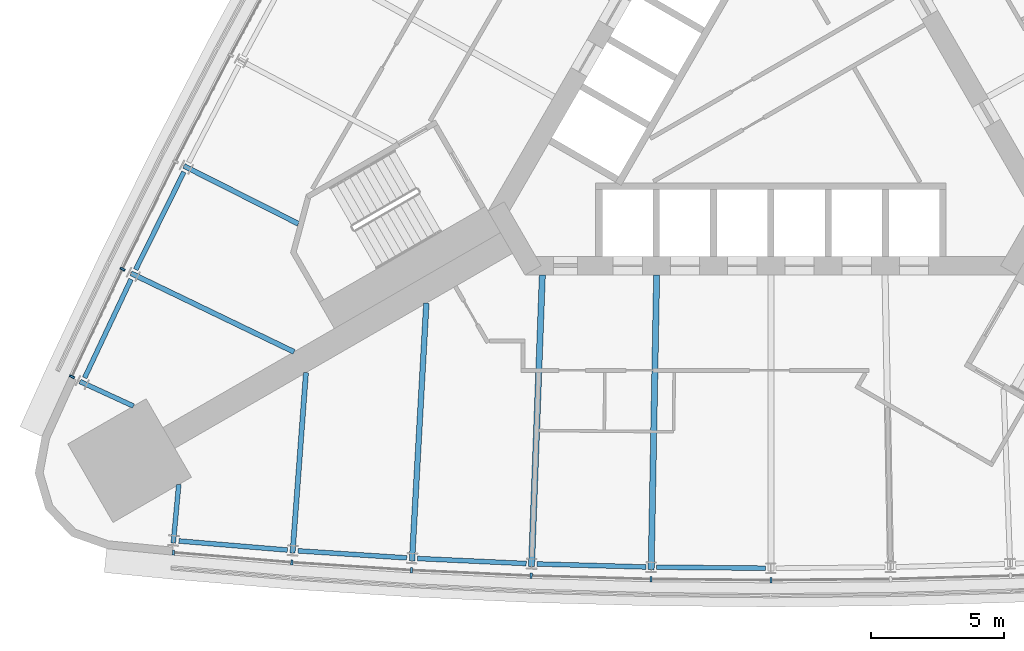
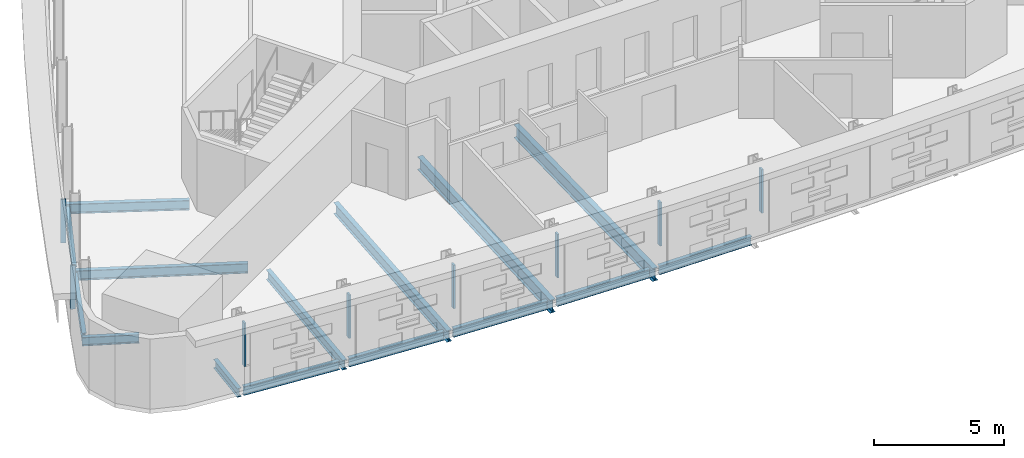
# One storey, part 2 of 15: 15 beams, 8 members, 2 elements without a shape of their own.
"""IFC4 building model written with IfcOpenShell, lengths in metres."""

from ifc_helpers import new_model, si_unit, direction, frame, origin, origin_2d, place, context, subcontext, project, spatial, rectangle, i_section, extrude, material, material_profile, profile_set, type_object, element, aggregate, save


model = new_model("IFC4")

# Units and contexts
model_context = context("Model", 3, precision=1e-05, world=origin(), true_north=direction((0.0, 1.0)))
body_context = subcontext(model_context, "Body", "Model", "MODEL_VIEW")
ifc_project = project(units=[si_unit("LENGTHUNIT", "METRE"), si_unit("AREAUNIT", "SQUARE_METRE"), si_unit("VOLUMEUNIT", "CUBIC_METRE"), si_unit("PLANEANGLEUNIT", "RADIAN"), si_unit("MASSUNIT", "GRAM", prefix="KILO")], contexts=[model_context])

# Site, building, storey
site_placement = place(None, origin())
site = spatial("IfcSite", under=ifc_project, at=site_placement, CompositionType="ELEMENT")
building_placement = place(site_placement, origin())
building = spatial("IfcBuilding", under=site, at=building_placement, Name="Noor Cloister Tower", CompositionType="ELEMENT")
storey_placement = place(building_placement, frame((0.0, 0.0, 27.60009765625)))
storey = spatial("IfcBuildingStorey", under=building, at=storey_placement, Name="L06", CompositionType="ELEMENT", Elevation=27.60009765625)

# Curtain wall, members
ifc_material_1 = material(Name="Aluminium 6063-T6 anodised", Category="aluminium")
curtain_wall_type = type_object("IfcCurtainWallType", Name="Ribbon curtain wall, lower tower CW1", PredefinedType="NOTDEFINED", material=ifc_material_1)
curtain_wall_1_placement = place(storey_placement, origin())
curtain_wall_1 = element("IfcCurtainWall", 1, at=curtain_wall_1_placement, inside=storey, type_object=curtain_wall_type, Name="CW1 L06 NW run 1", PredefinedType="NOTDEFINED")
ifc_material_2 = material(Name="Aluminium 6063-T6 anodised", Category="aluminium")
ifc_material_profile_1 = material_profile(ifc_material_2, rectangle(XDim=0.199951171875, YDim=0.080078125, at=origin_2d()), Name="200 x 80 mullion")
ifc_profile_set_1 = profile_set([ifc_material_profile_1], Name="Aluminium 6063-T6 anodised")
member_type = type_object("IfcMemberType", Name="Mullion CW1 80 x 200", PredefinedType="MULLION", material=ifc_profile_set_1)
member_1_placement = place(storey_placement, frame((-24.330322265625, -6.709716796875, 1.099853515625), z_axis=(0.0, 0.0, 1.0), x_axis=(0.900715223435, -0.434410043937, 0.0)))
member_1 = element("IfcMember", 2, at=member_1_placement, type_object=member_type, Name="CW1 mullion 10", PredefinedType="MULLION", context=body_context, shape_type="SweptSolid", body=[
    extrude(rectangle(XDim=0.199951171875, YDim=0.080078125, at=origin_2d()), origin(), (0.0, 0.0, 1.0), 2.050048828125),
])
member_2_placement = place(storey_placement, frame((-26.22998046875, -10.743896484375, 1.099853515625), z_axis=(0.0, 0.0, 1.0), x_axis=(0.90470640697, -0.426035582068, 0.0)))
member_2 = element("IfcMember", 3, at=member_2_placement, type_object=member_type, Name="CW1 mullion 11", PredefinedType="MULLION", context=body_context, shape_type="SweptSolid", body=[
    extrude(rectangle(XDim=0.199951171875, YDim=0.080078125, at=origin_2d()), origin(), (0.0, 0.0, 1.0), 2.050048828125),
])
aggregate(curtain_wall_1, [member_1, member_2])

curtain_wall_2_placement = place(storey_placement, origin())
curtain_wall_2 = element("IfcCurtainWall", 4, at=curtain_wall_2_placement, inside=storey, type_object=curtain_wall_type, Name="CW1 L06 S run 2", PredefinedType="NOTDEFINED")
member_3_placement = place(storey_placement, frame((-22.41943359375, -17.343994140625, 1.099853515625), z_axis=(0.0, 0.0, 1.0), x_axis=(0.083395566498, 0.996516522436, 0.0)))
member_3 = element("IfcMember", 5, at=member_3_placement, type_object=member_type, Name="CW1 mullion 1", PredefinedType="MULLION", context=body_context, shape_type="SweptSolid", body=[
    extrude(rectangle(XDim=0.199951171875, YDim=0.080078125, at=origin_2d()), origin(), (0.0, 0.0, 1.0), 2.050048828125),
])
member_4_placement = place(storey_placement, frame((-17.97607421875, -17.7158203125, 1.099853515625), z_axis=(0.0, 0.0, 1.0), x_axis=(0.074147478009, 0.997247287038, 0.0)))
member_4 = element("IfcMember", 6, at=member_4_placement, type_object=member_type, Name="CW1 mullion 2", PredefinedType="MULLION", context=body_context, shape_type="SweptSolid", body=[
    extrude(rectangle(XDim=0.199951171875, YDim=0.080078125, at=origin_2d()), origin(), (0.0, 0.0, 1.0), 2.050048828125),
])
member_5_placement = place(storey_placement, frame((-13.487548828125, -18.007568359375, 1.099853515625), z_axis=(0.0, 0.0, 1.0), x_axis=(0.055632953827, 0.99845128797, 0.0)))
member_5 = element("IfcMember", 7, at=member_5_placement, type_object=member_type, Name="CW1 mullion 3", PredefinedType="MULLION", context=body_context, shape_type="SweptSolid", body=[
    extrude(rectangle(XDim=0.199951171875, YDim=0.080078125, at=origin_2d()), origin(), (0.0, 0.0, 1.0), 2.050048828125),
])
member_6_placement = place(storey_placement, frame((-8.994140625, -18.21630859375, 1.099853515625), z_axis=(0.0, 0.0, 1.0), x_axis=(0.037099278712, 0.999311584802, 0.0)))
member_6 = element("IfcMember", 8, at=member_6_placement, type_object=member_type, Name="CW1 mullion 4", PredefinedType="MULLION", context=body_context, shape_type="SweptSolid", body=[
    extrude(rectangle(XDim=0.199951171875, YDim=0.080078125, at=origin_2d()), origin(), (0.0, 0.0, 1.0), 2.050048828125),
])
member_7_placement = place(storey_placement, frame((-4.497802734375, -18.34130859375, 1.099853515625), z_axis=(0.0, 0.0, 1.0), x_axis=(0.018552832644, 0.999827881388, 0.0)))
member_7 = element("IfcMember", 9, at=member_7_placement, type_object=member_type, Name="CW1 mullion 5", PredefinedType="MULLION", context=body_context, shape_type="SweptSolid", body=[
    extrude(rectangle(XDim=0.199951171875, YDim=0.080078125, at=origin_2d()), origin(), (0.0, 0.0, 1.0), 2.050048828125),
])
member_8_placement = place(storey_placement, frame((0.0, -18.383056640625, 1.099853515625), z_axis=(0.0, 0.0, 1.0), x_axis=(0.0, 1.0, 0.0)))
member_8 = element("IfcMember", 10, at=member_8_placement, type_object=member_type, Name="CW1 mullion 6", PredefinedType="MULLION", context=body_context, shape_type="SweptSolid", body=[
    extrude(rectangle(XDim=0.199951171875, YDim=0.080078125, at=origin_2d()), origin(), (0.0, 0.0, 1.0), 2.050048828125),
])
aggregate(curtain_wall_2, [member_3, member_4, member_5, member_6, member_7, member_8])

# Beams
ifc_material_3 = material(Name="Steel ASTM A992 Gr 50", Category="steel")
ifc_material_profile_2 = material_profile(ifc_material_3, i_section(OverallWidth=0.177978515625, OverallDepth=0.406005859375, WebThickness=0.0078125, FlangeThickness=0.0126953125, FilletRadius=0.01025390625, at=origin_2d()), Name="W410x60")
ifc_profile_set_2 = profile_set([ifc_material_profile_2], Name="Steel ASTM A992 Gr 50")
beam_type_1 = type_object("IfcBeamType", Name="Radial beam W410x60", PredefinedType="BEAM", material=ifc_profile_set_2)
for number, where, z_axis, x_axis, name in (
    (11, (-25.926025390625, -10.9267578125, -0.403076171875), (0.908618969654, -0.417626110276, 0.0), (0.417626110276, 0.908618969654, 0.0), "Radial beam NW 11 L06"),
    (12, (-22.42578125, -16.9892578125, -0.403076171875), (0.092620817563, 0.995701453325, 0.0), (-0.995701453325, 0.092620817563, 0.0), "Radial beam S 01 L06"),
):
    element("IfcBeam", number, at=place(storey_placement, frame(where, z_axis=z_axis, x_axis=x_axis)), inside=storey, type_object=beam_type_1, Name=name, PredefinedType="BEAM", context=body_context, shape_type="SweptSolid", body=[
        extrude(i_section(OverallWidth=0.177978515625, OverallDepth=0.406005859375, WebThickness=0.0078125, FlangeThickness=0.0126953125, FilletRadius=0.01025390625, at=origin_2d()), origin(), (0.0, 0.0, 1.0), 2.206298828125),
    ])
ifc_material_4 = material(Name="Steel ASTM A992 Gr 50", Category="steel")
ifc_material_profile_3 = material_profile(ifc_material_4, i_section(OverallWidth=0.19091796875, OverallDepth=0.45703125, WebThickness=0.009033203125, FlangeThickness=0.014404296875, FilletRadius=0.01025390625, at=origin_2d()), Name="W460x74")
ifc_profile_set_3 = profile_set([ifc_material_profile_3], Name="Steel ASTM A992 Gr 50")
beam_type_2 = type_object("IfcBeamType", Name="Radial beam W460x74", PredefinedType="BEAM", material=ifc_profile_set_3)
beam_1_placement = place(storey_placement, frame((-22.023681640625, -2.8359375, -0.4287109375), z_axis=(0.892499379673, -0.451048619645, 0.0), x_axis=(0.451048619645, 0.892499379673, 0.0)))
element("IfcBeam", 13, at=beam_1_placement, inside=storey, type_object=beam_type_2, Name="Radial beam NW 09 L06", PredefinedType="BEAM", context=body_context, shape_type="SweptSolid", body=[
    extrude(i_section(OverallWidth=0.19091796875, OverallDepth=0.45703125, WebThickness=0.009033203125, FlangeThickness=0.014404296875, FilletRadius=0.01025390625, at=origin_2d()), origin(), (0.0, 0.0, 1.0), 4.8076171875),
])
beam_2_placement = place(storey_placement, frame((-24.012451171875, -6.86328125, -0.4287109375), z_axis=(0.900714671777, -0.434411187753, 0.0), x_axis=(0.434411187753, 0.900714671777, 0.0)))
element("IfcBeam", 14, at=beam_2_placement, inside=storey, type_object=beam_type_2, Name="Radial beam NW 10 L06", PredefinedType="BEAM", context=body_context, shape_type="SweptSolid", body=[
    extrude(i_section(OverallWidth=0.19091796875, OverallDepth=0.45703125, WebThickness=0.009033203125, FlangeThickness=0.014404296875, FilletRadius=0.01025390625, at=origin_2d()), origin(), (0.0, 0.0, 1.0), 6.7900390625),
])
beam_3_placement = place(storey_placement, frame((-17.949951171875, -17.36376953125, -0.4287109375), z_axis=(0.074139211608, 0.997247901628, 0.0), x_axis=(-0.997247901628, 0.074139211608, 0.0)))
element("IfcBeam", 15, at=beam_3_placement, inside=storey, type_object=beam_type_2, Name="Radial beam S 02 L06", PredefinedType="BEAM", context=body_context, shape_type="SweptSolid", body=[
    extrude(i_section(OverallWidth=0.19091796875, OverallDepth=0.45703125, WebThickness=0.009033203125, FlangeThickness=0.014404296875, FilletRadius=0.01025390625, at=origin_2d()), origin(), (0.0, 0.0, 1.0), 6.790283203125),
])
ifc_material_5 = material(Name="Steel ASTM A992 Gr 50", Category="steel")
ifc_material_profile_4 = material_profile(ifc_material_5, i_section(OverallWidth=0.208984375, OverallDepth=0.532958984375, WebThickness=0.01025390625, FlangeThickness=0.015625, FilletRadius=0.0126953125, at=origin_2d()), Name="W530x92")
ifc_profile_set_4 = profile_set([ifc_material_profile_4], Name="Steel ASTM A992 Gr 50")
beam_type_3 = type_object("IfcBeamType", Name="Radial beam W530x92", PredefinedType="BEAM", material=ifc_profile_set_4)
beam_4_placement = place(storey_placement, frame((-13.4677734375, -17.6552734375, -0.466552734375), z_axis=(0.055627764387, 0.998451577108, 0.0), x_axis=(-0.998451577108, 0.055627764387, 0.0)))
element("IfcBeam", 16, at=beam_4_placement, inside=storey, type_object=beam_type_3, Name="Radial beam S 03 L06", PredefinedType="BEAM", context=body_context, shape_type="SweptSolid", body=[
    extrude(i_section(OverallWidth=0.208984375, OverallDepth=0.532958984375, WebThickness=0.01025390625, FlangeThickness=0.015625, FilletRadius=0.0126953125, at=origin_2d()), origin(), (0.0, 0.0, 1.0), 9.68603515625),
])
ifc_material_6 = material(Name="Steel ASTM A992 Gr 50", Category="steel")
ifc_material_profile_5 = material_profile(ifc_material_6, i_section(OverallWidth=0.22900390625, OverallDepth=0.612060546875, WebThickness=0.011962890625, FlangeThickness=0.01953125, FilletRadius=0.0126953125, at=origin_2d()), Name="W610x125")
ifc_profile_set_5 = profile_set([ifc_material_profile_5], Name="Steel ASTM A992 Gr 50")
beam_type_4 = type_object("IfcBeamType", Name="Radial beam W610x125", PredefinedType="BEAM", material=ifc_profile_set_5)
beam_5_placement = place(storey_placement, frame((-8.981201171875, -17.863525390625, -0.506103515625), z_axis=(0.037102430643, 0.999311467782, 0.0), x_axis=(-0.999311467782, 0.037102430643, 0.0)))
element("IfcBeam", 17, at=beam_5_placement, inside=storey, type_object=beam_type_4, Name="Radial beam S 04 L06", PredefinedType="BEAM", context=body_context, shape_type="SweptSolid", body=[
    extrude(i_section(OverallWidth=0.22900390625, OverallDepth=0.612060546875, WebThickness=0.011962890625, FlangeThickness=0.01953125, FilletRadius=0.0126953125, at=origin_2d()), origin(), (0.0, 0.0, 1.0), 10.94287109375),
])
beam_6_placement = place(storey_placement, frame((-4.491455078125, -17.988525390625, -0.506103515625), z_axis=(0.018560694116, 0.999827735479, 0.0), x_axis=(-0.999827735479, 0.018560694116, 0.0)))
element("IfcBeam", 18, at=beam_6_placement, inside=storey, type_object=beam_type_4, Name="Radial beam S 05 L06", PredefinedType="BEAM", context=body_context, shape_type="SweptSolid", body=[
    extrude(i_section(OverallWidth=0.22900390625, OverallDepth=0.612060546875, WebThickness=0.011962890625, FlangeThickness=0.01953125, FilletRadius=0.0126953125, at=origin_2d()), origin(), (0.0, 0.0, 1.0), 11.062255859375),
])
ifc_material_7 = material(Name="Steel ASTM A992 Gr 50", Category="steel")
ifc_material_profile_6 = material_profile(ifc_material_7, i_section(OverallWidth=0.177978515625, OverallDepth=0.406005859375, WebThickness=0.0078125, FlangeThickness=0.0126953125, FilletRadius=0.01025390625, at=origin_2d()), Name="W410x60")
ifc_profile_set_6 = profile_set([ifc_material_profile_6], Name="Steel ASTM A992 Gr 50")
beam_type_5 = type_object("IfcBeamType", Name="Spandrel beam W410x60", PredefinedType="SPANDREL", material=ifc_profile_set_6)
for number, where, z_axis, x_axis, name in (
    (19, (-22.026611328125, -3.060791015625, -0.403076171875), (-0.442786243303, -0.896627203882, 0.0), (0.896627203882, -0.442786243303, 0.0), "Spandrel beam NW 09 L06"),
    (20, (-24.010986328125, -7.088134765625, -0.403076171875), (-0.426056015387, -0.904696784427, 0.0), (0.904696784427, -0.426056015387, 0.0), "Spandrel beam NW 10 L06"),
    (21, (-22.215576171875, -16.909423828125, -0.403076171875), (0.99651478207, -0.083416360003, 0.0), (0.083416360003, 0.99651478207, 0.0), "Spandrel beam S 01 L06"),
    (22, (-17.7412109375, -17.280029296875, -0.403076171875), (0.997892236224, -0.064892872368, 0.0), (0.064892872368, 0.997892236224, 0.0), "Spandrel beam S 02 L06"),
):
    element("IfcBeam", number, at=place(storey_placement, frame(where, z_axis=z_axis, x_axis=x_axis)), inside=storey, type_object=beam_type_5, Name=name, PredefinedType="SPANDREL", context=body_context, shape_type="SweptSolid", body=[
        extrude(i_section(OverallWidth=0.177978515625, OverallDepth=0.406005859375, WebThickness=0.0078125, FlangeThickness=0.0126953125, FilletRadius=0.01025390625, at=origin_2d()), origin(), (0.0, 0.0, 1.0), 4.085693359375),
    ])
beam_7_placement = place(storey_placement, frame((-13.2607421875, -17.56787109375, -0.403076171875), z_axis=(0.998924467055, -0.04636711248, 0.0), x_axis=(0.04636711248, 0.998924467055, 0.0)))
element("IfcBeam", 23, at=beam_7_placement, inside=storey, type_object=beam_type_5, Name="Spandrel beam S 03 L06", PredefinedType="SPANDREL", context=body_context, shape_type="SweptSolid", body=[
    extrude(i_section(OverallWidth=0.177978515625, OverallDepth=0.406005859375, WebThickness=0.0078125, FlangeThickness=0.0126953125, FilletRadius=0.01025390625, at=origin_2d()), origin(), (0.0, 0.0, 1.0), 4.0859375),
])
beam_8_placement = place(storey_placement, frame((-8.775634765625, -17.772216796875, -0.403076171875), z_axis=(0.999612252306, -0.027845018206, 0.0), x_axis=(0.027845018206, 0.999612252306, 0.0)))
element("IfcBeam", 24, at=beam_8_placement, inside=storey, type_object=beam_type_5, Name="Spandrel beam S 04 L06", PredefinedType="SPANDREL", context=body_context, shape_type="SweptSolid", body=[
    extrude(i_section(OverallWidth=0.177978515625, OverallDepth=0.406005859375, WebThickness=0.0078125, FlangeThickness=0.0126953125, FilletRadius=0.01025390625, at=origin_2d()), origin(), (0.0, 0.0, 1.0), 4.085693359375),
])
beam_9_placement = place(storey_placement, frame((-4.28759765625, -17.893310546875, -0.403076171875), z_axis=(0.999956555034, -0.009321375715, 0.0), x_axis=(0.009321375715, 0.999956555034, 0.0)))
element("IfcBeam", 25, at=beam_9_placement, inside=storey, type_object=beam_type_5, Name="Spandrel beam S 05 L06", PredefinedType="SPANDREL", context=body_context, shape_type="SweptSolid", body=[
    extrude(i_section(OverallWidth=0.177978515625, OverallDepth=0.406005859375, WebThickness=0.0078125, FlangeThickness=0.0126953125, FilletRadius=0.01025390625, at=origin_2d()), origin(), (0.0, 0.0, 1.0), 4.0859375),
])

save(model, "model.ifc")
